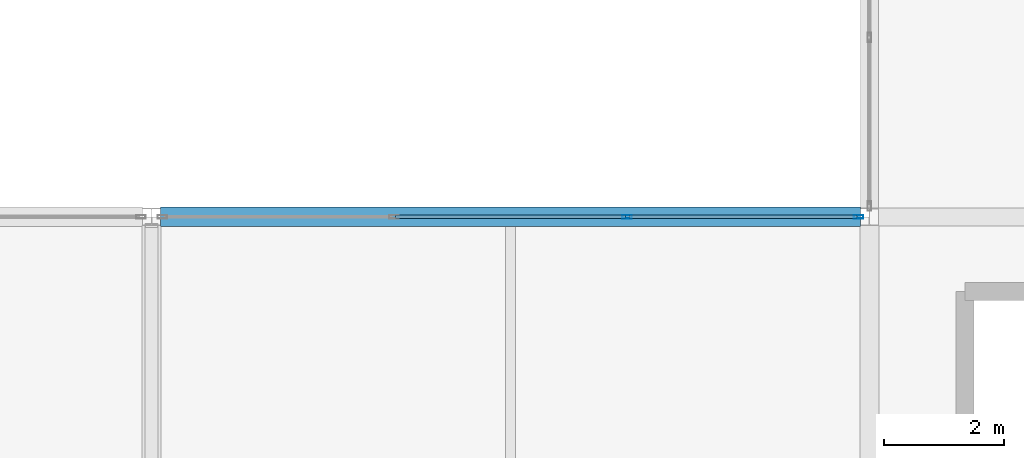
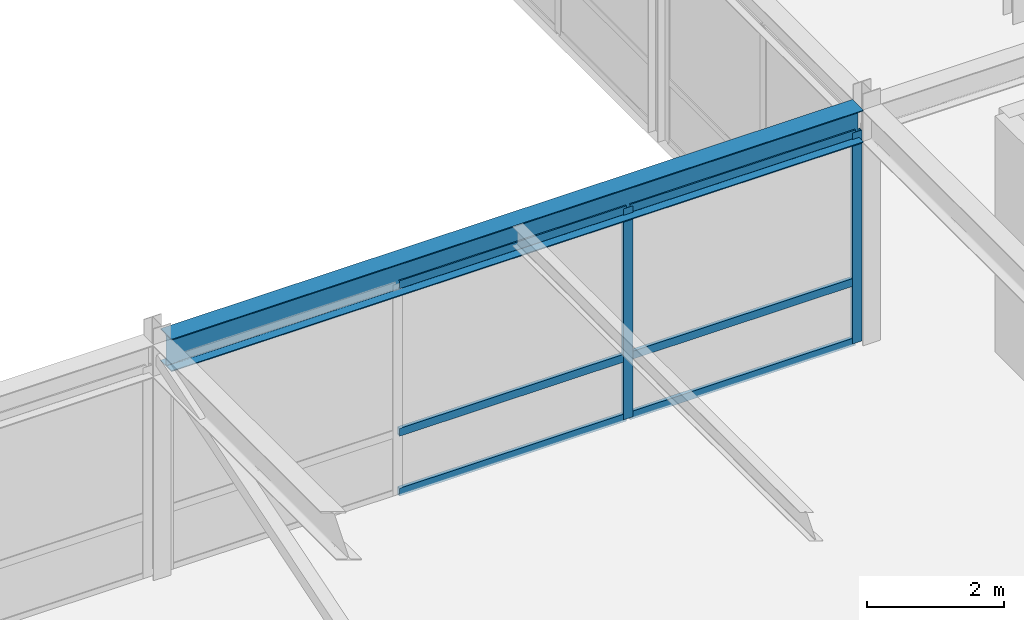
# One storey, part 35 of 108: 8 members, 1 beam, 1 element without a shape of its own.
"""IFC4 building model written with IfcOpenShell, lengths in metres."""

from ifc_helpers import new_model, si_unit, direction, frame, origin, origin_2d, place, context, subcontext, project, spatial, hollow_rectangle, i_section, extrude, material, layer, layer_set, material_profile, profile_set, type_object, element, aggregate, save


model = new_model("IFC4")

# Units and contexts
model_context = context("Model", 3, precision=1e-05, world=origin(), true_north=direction((0.0, 1.0)))
body_context = subcontext(model_context, "Body", "Model", "MODEL_VIEW")
ifc_project = project(units=[si_unit("LENGTHUNIT", "METRE"), si_unit("AREAUNIT", "SQUARE_METRE"), si_unit("VOLUMEUNIT", "CUBIC_METRE"), si_unit("PLANEANGLEUNIT", "RADIAN"), si_unit("MASSUNIT", "GRAM", prefix="KILO")], contexts=[model_context])

# Site, building, storey
site_placement = place(None, origin())
site = spatial("IfcSite", under=ifc_project, at=site_placement, CompositionType="ELEMENT")
building_placement = place(site_placement, origin())
building = spatial("IfcBuilding", under=site, at=building_placement, Name="Zlatovratsky Civic Hall", CompositionType="ELEMENT")
storey_placement = place(building_placement, frame((0.0, 0.0, 12.0)))
storey = spatial("IfcBuildingStorey", under=building, at=storey_placement, Name="L03", CompositionType="ELEMENT", Elevation=12.0)

# Beam
ifc_material_1 = material(Name="Steel S355", Category="steel")
ifc_material_profile_1 = material_profile(ifc_material_1, i_section(OverallWidth=0.320068359375, OverallDepth=0.58203125, WebThickness=0.011962890625, FlangeThickness=0.01708984375, FilletRadius=0.02392578125, at=origin_2d()), Name="60Sh1")
ifc_profile_set_1 = profile_set([ifc_material_profile_1], Name="Steel S355")
beam_type = type_object("IfcBeamType", Name="Beam_PodiumGirder_60Sh1", PredefinedType="BEAM", material=ifc_profile_set_1)
beam_placement = place(storey_placement, frame((36.1494140625, 30.0, 3.928955078125), z_axis=(1.0, 0.0, 0.0), x_axis=(0.0, 1.0, 0.0)))
element("IfcBeam", 1, at=beam_placement, inside=storey, type_object=beam_type, Name="BM-2529", PredefinedType="BEAM", context=body_context, shape_type="SweptSolid", body=[
    extrude(i_section(OverallWidth=0.320068359375, OverallDepth=0.58203125, WebThickness=0.011962890625, FlangeThickness=0.01708984375, FilletRadius=0.02392578125, at=origin_2d()), origin(), (0.0, 0.0, 1.0), 11.701171875),
])

# Curtain wall, members
ifc_material_2 = material(Name="Anodised bronze aluminium", Category="aluminium")
ifc_layer = layer(ifc_material_2, 0.159912109375)
ifc_layer_set = layer_set([ifc_layer], Name="Anodised bronze aluminium")
curtain_wall_type = type_object("IfcCurtainWallType", Name="CurtainWall_Bronze_11700x3770_11", PredefinedType="NOTDEFINED", material=ifc_layer_set)
curtain_wall_placement = place(storey_placement, origin())
curtain_wall = element("IfcCurtainWall", 2, at=curtain_wall_placement, inside=storey, type_object=curtain_wall_type, Name="CW-053", PredefinedType="NOTDEFINED")
ifc_material_profile_2 = material_profile(ifc_material_2, hollow_rectangle(XDim=0.06005859375, YDim=0.159912109375, WallThickness=0.00390625, at=origin_2d()), Name="ALU 60x160x4")
ifc_profile_set_2 = profile_set([ifc_material_profile_2], Name="Anodised bronze aluminium")
member_type_1 = type_object("IfcMemberType", Name="CW_Mullion_60x160", PredefinedType="MULLION", material=ifc_profile_set_2)
member_1_placement = place(storey_placement, frame((43.9501953125, 30.0, 0.0), z_axis=(0.0, 0.0, 1.0), x_axis=(0.0, 1.0, 0.0)))
member_1 = element("IfcMember", 3, at=member_1_placement, type_object=member_type_1, Name="CW-11 mullion 3", PredefinedType="MULLION", context=body_context, shape_type="SweptSolid", body=[
    extrude(hollow_rectangle(XDim=0.06005859375, YDim=0.159912109375, WallThickness=0.00390625, at=origin_2d()), origin(), (0.0, 0.0, 1.0), 3.77001953125),
])
member_2_placement = place(storey_placement, frame((47.820556640625, 30.0, 0.0), z_axis=(0.0, 0.0, 1.0), x_axis=(0.0, 1.0, 0.0)))
member_2 = element("IfcMember", 4, at=member_2_placement, type_object=member_type_1, Name="CW-11 mullion 4", PredefinedType="MULLION", context=body_context, shape_type="SweptSolid", body=[
    extrude(hollow_rectangle(XDim=0.06005859375, YDim=0.159912109375, WallThickness=0.00390625, at=origin_2d()), origin(), (0.0, 0.0, 1.0), 3.77001953125),
])
ifc_material_profile_3 = material_profile(ifc_material_2, hollow_rectangle(XDim=0.06005859375, YDim=0.139892578125, WallThickness=0.00390625, at=origin_2d()), Name="ALU 60x140x4")
ifc_profile_set_3 = profile_set([ifc_material_profile_3], Name="Anodised bronze aluminium")
member_type_2 = type_object("IfcMemberType", Name="CW_Transom_60x140", PredefinedType="USERDEFINED", material=ifc_profile_set_3)
member_3_placement = place(storey_placement, frame((40.079833984375, 30.0, 0.030029296875), z_axis=(1.0, 0.0, 0.0), x_axis=(0.0, 1.0, 0.0)))
member_3 = element("IfcMember", 5, at=member_3_placement, type_object=member_type_2, Name="CW-11 transom 2.1", ObjectType="TRANSOM", PredefinedType="USERDEFINED", context=body_context, shape_type="SweptSolid", body=[
    extrude(hollow_rectangle(XDim=0.06005859375, YDim=0.139892578125, WallThickness=0.00390625, at=origin_2d()), origin(), (0.0, 0.0, 1.0), 3.84033203125),
])
member_4_placement = place(storey_placement, frame((40.079833984375, 30.0, 1.10009765625), z_axis=(1.0, 0.0, 0.0), x_axis=(0.0, 1.0, 0.0)))
member_4 = element("IfcMember", 6, at=member_4_placement, type_object=member_type_2, Name="CW-11 transom 2.2", ObjectType="TRANSOM", PredefinedType="USERDEFINED", context=body_context, shape_type="SweptSolid", body=[
    extrude(hollow_rectangle(XDim=0.06005859375, YDim=0.139892578125, WallThickness=0.00390625, at=origin_2d()), origin(), (0.0, 0.0, 1.0), 3.84033203125),
])
member_5_placement = place(storey_placement, frame((40.079833984375, 30.0, 3.739990234375), z_axis=(1.0, 0.0, 0.0), x_axis=(0.0, 1.0, 0.0)))
member_5 = element("IfcMember", 7, at=member_5_placement, type_object=member_type_2, Name="CW-11 transom 2.3", ObjectType="TRANSOM", PredefinedType="USERDEFINED", context=body_context, shape_type="SweptSolid", body=[
    extrude(hollow_rectangle(XDim=0.06005859375, YDim=0.139892578125, WallThickness=0.00390625, at=origin_2d()), origin(), (0.0, 0.0, 1.0), 3.84033203125),
])
member_6_placement = place(storey_placement, frame((43.980224609375, 30.0, 0.030029296875), z_axis=(1.0, 0.0, 0.0), x_axis=(0.0, 1.0, 0.0)))
member_6 = element("IfcMember", 8, at=member_6_placement, type_object=member_type_2, Name="CW-11 transom 3.1", ObjectType="TRANSOM", PredefinedType="USERDEFINED", context=body_context, shape_type="SweptSolid", body=[
    extrude(hollow_rectangle(XDim=0.06005859375, YDim=0.139892578125, WallThickness=0.00390625, at=origin_2d()), origin(), (0.0, 0.0, 1.0), 3.810302734375),
])
member_7_placement = place(storey_placement, frame((43.980224609375, 30.0, 1.10009765625), z_axis=(1.0, 0.0, 0.0), x_axis=(0.0, 1.0, 0.0)))
member_7 = element("IfcMember", 9, at=member_7_placement, type_object=member_type_2, Name="CW-11 transom 3.2", ObjectType="TRANSOM", PredefinedType="USERDEFINED", context=body_context, shape_type="SweptSolid", body=[
    extrude(hollow_rectangle(XDim=0.06005859375, YDim=0.139892578125, WallThickness=0.00390625, at=origin_2d()), origin(), (0.0, 0.0, 1.0), 3.810302734375),
])
member_8_placement = place(storey_placement, frame((43.980224609375, 30.0, 3.739990234375), z_axis=(1.0, 0.0, 0.0), x_axis=(0.0, 1.0, 0.0)))
member_8 = element("IfcMember", 10, at=member_8_placement, type_object=member_type_2, Name="CW-11 transom 3.3", ObjectType="TRANSOM", PredefinedType="USERDEFINED", context=body_context, shape_type="SweptSolid", body=[
    extrude(hollow_rectangle(XDim=0.06005859375, YDim=0.139892578125, WallThickness=0.00390625, at=origin_2d()), origin(), (0.0, 0.0, 1.0), 3.810302734375),
])
aggregate(curtain_wall, [member_1, member_2, member_3, member_4, member_5, member_6, member_7, member_8])

save(model, "model.ifc")
